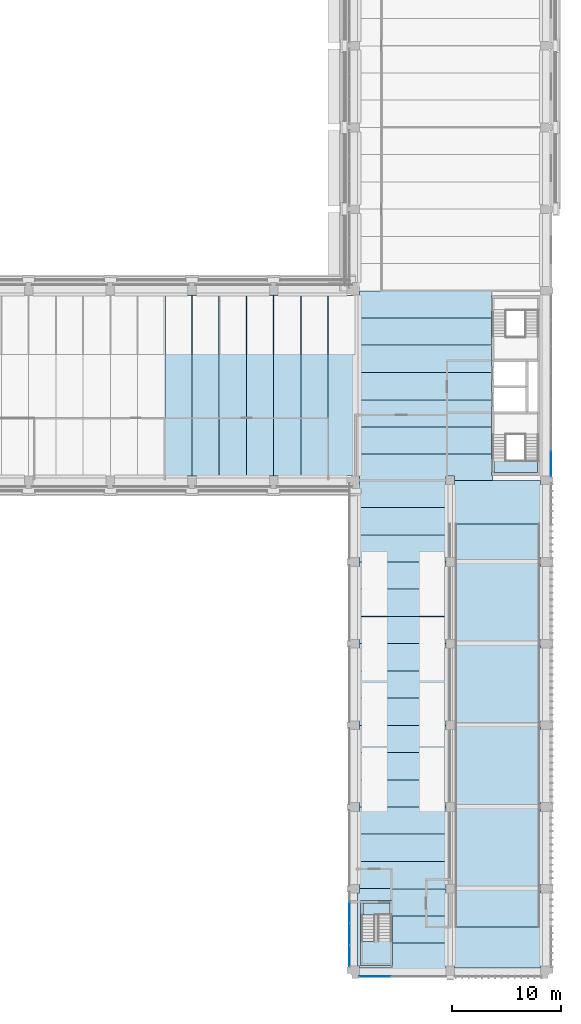
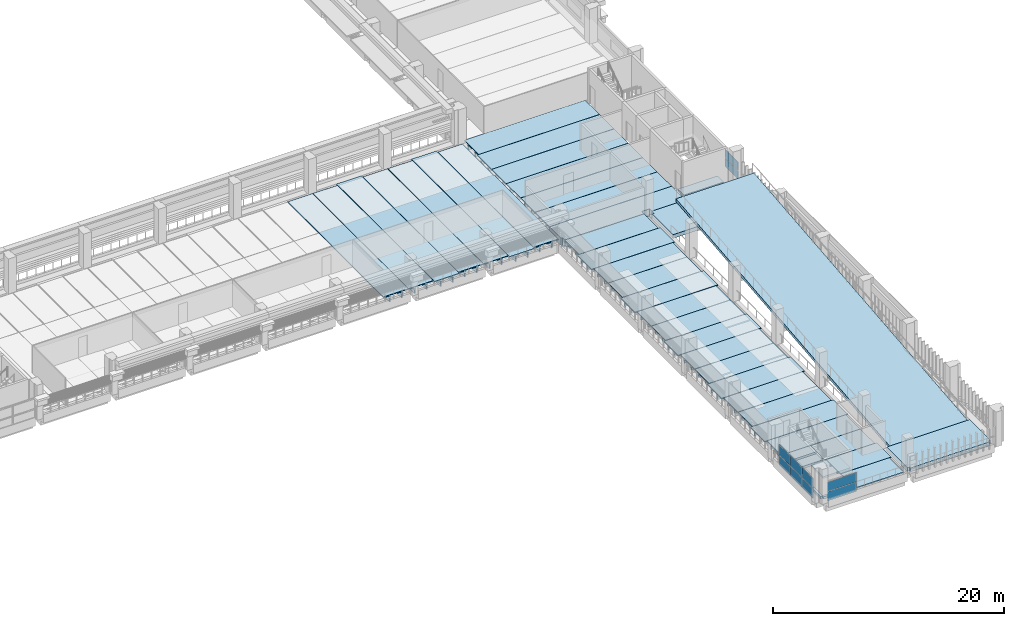
# One storey, part 27 of 71: 39 slabs, 10 plates, 4 elements without a shape of their own.
"""IFC4 building model written with IfcOpenShell, lengths in metres."""

from ifc_helpers import new_model, si_unit, direction, frame, origin, origin_2d, place, context, subcontext, project, spatial, polyline, rectangle, outline, extrude, material, layer, layer_set, material_profile, profile_set, type_object, element, aggregate, save


model = new_model("IFC4")

# Units and contexts
model_context = context("Model", 3, precision=1e-05, world=origin(), true_north=direction((0.0, 1.0)))
body_context = subcontext(model_context, "Body", "Model", "MODEL_VIEW")
ifc_project = project(units=[si_unit("LENGTHUNIT", "METRE"), si_unit("AREAUNIT", "SQUARE_METRE"), si_unit("VOLUMEUNIT", "CUBIC_METRE"), si_unit("PLANEANGLEUNIT", "RADIAN"), si_unit("MASSUNIT", "GRAM", prefix="KILO")], contexts=[model_context])

# Site, building, storey
site_placement = place(None, origin())
site = spatial("IfcSite", under=ifc_project, at=site_placement, CompositionType="ELEMENT")
building_placement = place(site_placement, origin())
building = spatial("IfcBuilding", under=site, at=building_placement, Name="Cour d'Honneur Mobility Palace", CompositionType="ELEMENT")
storey_placement = place(building_placement, frame((0.0, 0.0, 15.60009765625)))
storey = spatial("IfcBuildingStorey", under=building, at=storey_placement, Name="L04", CompositionType="ELEMENT", Elevation=15.60009765625)

# Slabs
ifc_material_1 = material(Name="Concrete C50", Category="concrete")
ifc_layer_1 = layer(ifc_material_1, 0.25)
ifc_layer_set_1 = layer_set([ifc_layer_1], Name="Concrete C50")
slab_type_1 = type_object("IfcSlabType", Name="Cast-in-place Slab 250", PredefinedType="FLOOR", material=ifc_layer_set_1)
slab_1_placement = place(storey_placement, frame((0.0, 0.0, -0.25)))
element("IfcSlab", 1, at=slab_1_placement, inside=storey, type_object=slab_type_1, Name="Cast-in-place slab S1 L04 core", PredefinedType="FLOOR", context=body_context, shape_type="SweptSolid", body=[
    extrude(outline(polyline([(157.625, 46.77490234375), (161.60009765625, 46.77490234375), (161.60009765625, 45.699951171875), (157.625, 45.699951171875), (157.625, 46.77490234375)])), origin(), (0.0, 0.0, 1.0), 0.25),
])
slab_2_placement = place(storey_placement, frame((0.0, 0.0, -0.25)))
element("IfcSlab", 2, at=slab_2_placement, inside=storey, type_object=slab_type_1, Name="Cast-in-place slab S1 L04 stair strip", PredefinedType="FLOOR", context=body_context, shape_type="SweptSolid", body=[
    extrude(outline(polyline([(145.300048828125, 0.39990234375), (145.10009765625, 0.39990234375), (145.10009765625, 7.10009765625), (145.300048828125, 7.10009765625), (145.300048828125, 7.5), (148.199951171875, 7.5), (148.199951171875, 6.425048828125), (145.35009765625, 6.425048828125), (145.35009765625, 0.449951171875), (148.199951171875, 0.449951171875), (148.199951171875, 0.22509765625), (145.300048828125, 0.22509765625), (145.300048828125, 0.39990234375)])), origin(), (0.0, 0.0, 1.0), 0.25),
])
slab_3_placement = place(storey_placement, frame((0.0, 0.0, -0.25)))
element("IfcSlab", 3, at=slab_3_placement, inside=storey, type_object=slab_type_1, Name="Cast-in-place slab S1 L04 stair strip", PredefinedType="FLOOR", context=body_context, shape_type="SweptSolid", body=[
    extrude(outline(polyline([(145.60009765625, 5.10009765625), (145.60009765625, 6.175048828125), (148.074951171875, 6.175048828125), (148.074951171875, 5.10009765625), (145.60009765625, 5.10009765625)])), origin(), (0.0, 0.0, 1.0), 0.25),
])
ifc_material_2 = material(Name="Concrete C50", Category="concrete")
ifc_layer_2 = layer(ifc_material_2, 0.39990234375)
ifc_layer_set_2 = layer_set([ifc_layer_2], Name="Concrete C50")
slab_type_2 = type_object("IfcSlabType", Name="Cast-in-place Slab 400", PredefinedType="LANDING", material=ifc_layer_set_2)
slab_4_placement = place(storey_placement, frame((0.0, 0.0, -0.400146484375)))
element("IfcSlab", 4, at=slab_4_placement, inside=storey, type_object=slab_type_2, Name="Cast-in-place slab S3 L04 landing", PredefinedType="LANDING", context=body_context, shape_type="SweptSolid", body=[
    extrude(outline(polyline([(161.89990234375, 0.39990234375), (161.89990234375, 0.22509765625), (154.0, 0.22509765625), (154.0, 0.39990234375), (153.800048828125, 0.39990234375), (153.800048828125, 4.0), (162.10009765625, 4.0), (162.10009765625, 0.39990234375), (161.89990234375, 0.39990234375)])), origin(), (0.0, 0.0, 1.0), 0.400146484375),
])
slab_5_placement = place(storey_placement, frame((0.0, 0.0, -0.400146484375)))
element("IfcSlab", 5, at=slab_5_placement, inside=storey, type_object=slab_type_2, Name="Cast-in-place slab S3 L04 landing", PredefinedType="LANDING", context=body_context, shape_type="SweptSolid", body=[
    extrude(outline(polyline([(162.10009765625, 44.60009765625), (162.10009765625, 41.0), (153.800048828125, 41.0), (153.800048828125, 44.60009765625), (154.0, 44.60009765625), (154.0, 45.0), (161.89990234375, 45.0), (161.89990234375, 44.60009765625), (162.10009765625, 44.60009765625)])), origin(), (0.0, 0.0, 1.0), 0.400146484375),
])
ifc_material_3 = material(Name="Concrete C50", Category="concrete")
ifc_layer_3 = layer(ifc_material_3, 0.800048828125)
ifc_layer_set_3 = layer_set([ifc_layer_3], Name="Concrete C50")
slab_type_3 = type_object("IfcSlabType", Name="Cast-in-place Slab 800", PredefinedType="FLOOR", material=ifc_layer_set_3)
slab_6_placement = place(storey_placement, frame((0.0, 0.0, -0.800048828125)))
element("IfcSlab", 6, at=slab_6_placement, inside=storey, type_object=slab_type_3, Name="Cast-in-place slab S2 L04 closure", PredefinedType="FLOOR", context=body_context, shape_type="SweptSolid", body=[
    extrude(outline(polyline([(154.0, 45.39990234375), (153.199951171875, 45.39990234375), (153.199951171875, 45.0), (145.300048828125, 45.0), (145.300048828125, 45.39990234375), (145.14990234375, 45.39990234375), (145.14990234375, 47.39990234375), (157.375, 47.39990234375), (157.375, 45.449951171875), (157.5, 45.449951171875), (157.5, 45.0), (154.0, 45.0), (154.0, 45.39990234375)])), origin(), (0.0, 0.0, 1.0), 0.800048828125),
])

# Curtain wall, plates
ifc_material_4 = material(Name="Aluminium and glass", Category="aluminium")
ifc_layer_4 = layer(ifc_material_4, 0.10009765625)
ifc_layer_set_4 = layer_set([ifc_layer_4], Name="Aluminium and glass")
curtain_wall_type = type_object("IfcCurtainWallType", Name="Curtain wall run", PredefinedType="NOTDEFINED", material=ifc_layer_set_4)
curtain_wall_1_placement = place(storey_placement, origin())
curtain_wall_1 = element("IfcCurtainWall", 7, at=curtain_wall_1_placement, inside=storey, type_object=curtain_wall_type, Name="Curtain wall CW-90", PredefinedType="NOTDEFINED")
ifc_material_5 = material(Name="Double glazing", Category="glass")
ifc_layer_5 = layer(ifc_material_5, 0.028076171875)
ifc_layer_set_5 = layer_set([ifc_layer_5], Name="Double glazing")
plate_type = type_object("IfcPlateType", Name="Curtain wall panel", PredefinedType="CURTAIN_PANEL", material=ifc_layer_set_5)
plate_1_placement = place(storey_placement, frame((162.85009765625, 46.514892578125, 0.06005859375), z_axis=(0.0, 0.0, 1.0), x_axis=(0.0, 1.0, 0.0)))
plate_1 = element("IfcPlate", 8, at=plate_1_placement, type_object=plate_type, Name="CW-90 panel 1.1", PredefinedType="CURTAIN_PANEL", context=body_context, shape_type="SweptSolid", body=[
    extrude(rectangle(XDim=2.31005859375, YDim=0.028076171875, at=origin_2d()), origin(), (0.0, 0.0, 1.0), 0.860107421875),
])
plate_2_placement = place(storey_placement, frame((162.85009765625, 46.514892578125, 0.97998046875), z_axis=(0.0, 0.0, 1.0), x_axis=(0.0, 1.0, 0.0)))
plate_2 = element("IfcPlate", 9, at=plate_2_placement, type_object=plate_type, Name="CW-90 panel 1.2", PredefinedType="CURTAIN_PANEL", context=body_context, shape_type="SweptSolid", body=[
    extrude(rectangle(XDim=2.31005859375, YDim=0.028076171875, at=origin_2d()), origin(), (0.0, 0.0, 1.0), 0.860107421875),
])
aggregate(curtain_wall_1, [plate_1, plate_2])

curtain_wall_2_placement = place(storey_placement, origin())
curtain_wall_2 = element("IfcCurtainWall", 10, at=curtain_wall_2_placement, inside=storey, type_object=curtain_wall_type, Name="Curtain wall CW-141", PredefinedType="NOTDEFINED")
plate_3_placement = place(storey_placement, frame((144.35009765625, 5.284912109375, 0.059814453125), z_axis=(0.0, 0.0, 1.0), x_axis=(0.0, -1.0, 0.0)))
plate_3 = element("IfcPlate", 11, at=plate_3_placement, type_object=plate_type, Name="CW-141 panel 1.1", PredefinedType="CURTAIN_PANEL", context=body_context, shape_type="SweptSolid", body=[
    extrude(rectangle(XDim=1.909912109375, YDim=0.028076171875, at=origin_2d()), origin(), (0.0, 0.0, 1.0), 1.06005859375),
])
plate_4_placement = place(storey_placement, frame((144.35009765625, 5.284912109375, 1.179931640625), z_axis=(0.0, 0.0, 1.0), x_axis=(0.0, -1.0, 0.0)))
plate_4 = element("IfcPlate", 12, at=plate_4_placement, type_object=plate_type, Name="CW-141 panel 1.2", PredefinedType="CURTAIN_PANEL", context=body_context, shape_type="SweptSolid", body=[
    extrude(rectangle(XDim=1.909912109375, YDim=0.028076171875, at=origin_2d()), origin(), (0.0, 0.0, 1.0), 1.06005859375),
])
plate_5_placement = place(storey_placement, frame((144.35009765625, 3.300048828125, 0.059814453125), z_axis=(0.0, 0.0, 1.0), x_axis=(0.0, -1.0, 0.0)))
plate_5 = element("IfcPlate", 13, at=plate_5_placement, type_object=plate_type, Name="CW-141 panel 2.1", PredefinedType="CURTAIN_PANEL", context=body_context, shape_type="SweptSolid", body=[
    extrude(rectangle(XDim=1.93994140625, YDim=0.028076171875, at=origin_2d()), origin(), (0.0, 0.0, 1.0), 1.06005859375),
])
plate_6_placement = place(storey_placement, frame((144.35009765625, 3.300048828125, 1.179931640625), z_axis=(0.0, 0.0, 1.0), x_axis=(0.0, -1.0, 0.0)))
plate_6 = element("IfcPlate", 14, at=plate_6_placement, type_object=plate_type, Name="CW-141 panel 2.2", PredefinedType="CURTAIN_PANEL", context=body_context, shape_type="SweptSolid", body=[
    extrude(rectangle(XDim=1.93994140625, YDim=0.028076171875, at=origin_2d()), origin(), (0.0, 0.0, 1.0), 1.06005859375),
])
plate_7_placement = place(storey_placement, frame((144.35009765625, 1.31494140625, 0.059814453125), z_axis=(0.0, 0.0, 1.0), x_axis=(0.0, -1.0, 0.0)))
plate_7 = element("IfcPlate", 15, at=plate_7_placement, type_object=plate_type, Name="CW-141 panel 3.1", PredefinedType="CURTAIN_PANEL", context=body_context, shape_type="SweptSolid", body=[
    extrude(rectangle(XDim=1.909912109375, YDim=0.028076171875, at=origin_2d()), origin(), (0.0, 0.0, 1.0), 1.06005859375),
])
plate_8_placement = place(storey_placement, frame((144.35009765625, 1.31494140625, 1.179931640625), z_axis=(0.0, 0.0, 1.0), x_axis=(0.0, -1.0, 0.0)))
plate_8 = element("IfcPlate", 16, at=plate_8_placement, type_object=plate_type, Name="CW-141 panel 3.2", PredefinedType="CURTAIN_PANEL", context=body_context, shape_type="SweptSolid", body=[
    extrude(rectangle(XDim=1.909912109375, YDim=0.028076171875, at=origin_2d()), origin(), (0.0, 0.0, 1.0), 1.06005859375),
])
aggregate(curtain_wall_2, [plate_3, plate_4, plate_5, plate_6, plate_7, plate_8])

curtain_wall_3_placement = place(storey_placement, origin())
curtain_wall_3 = element("IfcCurtainWall", 17, at=curtain_wall_3_placement, inside=storey, type_object=curtain_wall_type, Name="Curtain wall CW-142", PredefinedType="NOTDEFINED")
plate_9_placement = place(storey_placement, frame((146.699951171875, -0.550048828125, 0.059814453125), z_axis=(0.0, 0.0, 1.0), x_axis=(1.0, 0.0, 0.0)))
plate_9 = element("IfcPlate", 18, at=plate_9_placement, type_object=plate_type, Name="CW-142 panel 1.1", PredefinedType="CURTAIN_PANEL", context=body_context, shape_type="SweptSolid", body=[
    extrude(rectangle(XDim=2.8798828125, YDim=0.028076171875, at=origin_2d()), origin(), (0.0, 0.0, 1.0), 0.9599609375),
])
plate_10_placement = place(storey_placement, frame((146.699951171875, -0.550048828125, 1.079833984375), z_axis=(0.0, 0.0, 1.0), x_axis=(1.0, 0.0, 0.0)))
plate_10 = element("IfcPlate", 19, at=plate_10_placement, type_object=plate_type, Name="CW-142 panel 1.2", PredefinedType="CURTAIN_PANEL", context=body_context, shape_type="SweptSolid", body=[
    extrude(rectangle(XDim=2.8798828125, YDim=0.028076171875, at=origin_2d()), origin(), (0.0, 0.0, 1.0), 0.9599609375),
])
aggregate(curtain_wall_3, [plate_9, plate_10])

# Slabs
ifc_material_6 = material(Name="Concrete C45", Category="concrete")
ifc_material_profile_1 = material_profile(ifc_material_6, outline(polyline([(-1.2451171875, 0.0), (1.2451171875, 0.0), (1.2451171875, -0.074951171875), (0.659912109375, -0.074951171875), (0.639892578125, -0.39990234375), (0.56005859375, -0.39990234375), (0.5400390625, -0.074951171875), (-0.5400390625, -0.074951171875), (-0.56005859375, -0.39990234375), (-0.639892578125, -0.39990234375), (-0.659912109375, -0.074951171875), (-1.2451171875, -0.074951171875), (-1.2451171875, 0.0)])), Name="DT 2490x400")
ifc_profile_set_1 = profile_set([ifc_material_profile_1], Name="Concrete C45")
slab_type_4 = type_object("IfcSlabType", Name="DT 2490x400", PredefinedType="FLOOR", material=ifc_profile_set_1)
slab_7_placement = place(storey_placement, frame((148.324951171875, 1.25, 0.0), z_axis=(1.0, 0.0, 0.0), x_axis=(0.0, 1.0, 0.0)))
element("IfcSlab", 20, at=slab_7_placement, inside=storey, type_object=slab_type_4, Name="Double tee DT-SE1 L04", PredefinedType="FLOOR", context=body_context, shape_type="SweptSolid", body=[
    extrude(outline(polyline([(-1.2451171875, 0.0), (1.2451171875, 0.0), (1.2451171875, -0.074951171875), (0.659912109375, -0.074951171875), (0.639892578125, -0.39990234375), (0.56005859375, -0.39990234375), (0.5400390625, -0.074951171875), (-0.5400390625, -0.074951171875), (-0.56005859375, -0.39990234375), (-0.639892578125, -0.39990234375), (-0.659912109375, -0.074951171875), (-1.2451171875, -0.074951171875), (-1.2451171875, 0.0)])), origin(), (0.0, 0.0, 1.0), 4.875),
])
slab_8_placement = place(storey_placement, frame((148.324951171875, 3.75, 0.0), z_axis=(1.0, 0.0, 0.0), x_axis=(0.0, 1.0, 0.0)))
element("IfcSlab", 21, at=slab_8_placement, inside=storey, type_object=slab_type_4, Name="Double tee DT-SE2 L04", PredefinedType="FLOOR", context=body_context, shape_type="SweptSolid", body=[
    extrude(outline(polyline([(-1.2451171875, 0.0), (1.2451171875, 0.0), (1.2451171875, -0.074951171875), (0.659912109375, -0.074951171875), (0.639892578125, -0.39990234375), (0.56005859375, -0.39990234375), (0.5400390625, -0.074951171875), (-0.5400390625, -0.074951171875), (-0.56005859375, -0.39990234375), (-0.639892578125, -0.39990234375), (-0.659912109375, -0.074951171875), (-1.2451171875, -0.074951171875), (-1.2451171875, 0.0)])), origin(), (0.0, 0.0, 1.0), 5.074951171875),
])
slab_9_placement = place(storey_placement, frame((148.199951171875, 6.25, 0.0), z_axis=(1.0, 0.0, 0.0), x_axis=(0.0, 1.0, 0.0)))
element("IfcSlab", 22, at=slab_9_placement, inside=storey, type_object=slab_type_4, Name="Double tee DT-SE3 L04", PredefinedType="FLOOR", context=body_context, shape_type="SweptSolid", body=[
    extrude(outline(polyline([(-1.2451171875, 0.0), (1.2451171875, 0.0), (1.2451171875, -0.074951171875), (0.659912109375, -0.074951171875), (0.639892578125, -0.39990234375), (0.56005859375, -0.39990234375), (0.5400390625, -0.074951171875), (-0.5400390625, -0.074951171875), (-0.56005859375, -0.39990234375), (-0.639892578125, -0.39990234375), (-0.659912109375, -0.074951171875), (-1.2451171875, -0.074951171875), (-1.2451171875, 0.0)])), origin(), (0.0, 0.0, 1.0), 5.0),
])
ifc_material_7 = material(Name="Concrete C45", Category="concrete")
ifc_material_profile_2 = material_profile(ifc_material_7, outline(polyline([(-1.2451171875, 0.0), (1.2451171875, 0.0), (1.2451171875, -0.10009765625), (0.669921875, -0.10009765625), (0.64501953125, -0.5), (0.554931640625, -0.5), (0.530029296875, -0.10009765625), (-0.530029296875, -0.10009765625), (-0.554931640625, -0.5), (-0.64501953125, -0.5), (-0.669921875, -0.10009765625), (-1.2451171875, -0.10009765625), (-1.2451171875, 0.0)])), Name="DT 2490x500")
ifc_profile_set_2 = profile_set([ifc_material_profile_2], Name="Concrete C45")
slab_type_5 = type_object("IfcSlabType", Name="DT 2490x500", PredefinedType="FLOOR", material=ifc_profile_set_2)
slab_10_placement = place(storey_placement, frame((145.300048828125, 8.75, 0.0), z_axis=(1.0, 0.0, 0.0), x_axis=(0.0, 1.0, 0.0)))
element("IfcSlab", 23, at=slab_10_placement, inside=storey, type_object=slab_type_5, Name="Double tee DT-SE4 L04", PredefinedType="FLOOR", context=body_context, shape_type="SweptSolid", body=[
    extrude(outline(polyline([(-1.2451171875, 0.0), (1.2451171875, 0.0), (1.2451171875, -0.10009765625), (0.669921875, -0.10009765625), (0.64501953125, -0.5), (0.554931640625, -0.5), (0.530029296875, -0.10009765625), (-0.530029296875, -0.10009765625), (-0.554931640625, -0.5), (-0.64501953125, -0.5), (-0.669921875, -0.10009765625), (-1.2451171875, -0.10009765625), (-1.2451171875, 0.0)])), origin(), (0.0, 0.0, 1.0), 7.89990234375),
])
slab_11_placement = place(storey_placement, frame((145.10009765625, 11.25, 0.0), z_axis=(1.0, 0.0, 0.0), x_axis=(0.0, 1.0, 0.0)))
element("IfcSlab", 24, at=slab_11_placement, inside=storey, type_object=slab_type_5, Name="Double tee DT-SE5 L04", PredefinedType="FLOOR", context=body_context, shape_type="SweptSolid", body=[
    extrude(outline(polyline([(-1.2451171875, 0.0), (1.2451171875, 0.0), (1.2451171875, -0.10009765625), (0.669921875, -0.10009765625), (0.64501953125, -0.5), (0.554931640625, -0.5), (0.530029296875, -0.10009765625), (-0.530029296875, -0.10009765625), (-0.554931640625, -0.5), (-0.64501953125, -0.5), (-0.669921875, -0.10009765625), (-1.2451171875, -0.10009765625), (-1.2451171875, 0.0)])), origin(), (0.0, 0.0, 1.0), 8.2998046875),
])
for number, where, z_axis, x_axis, name in (
    (25, (145.300048828125, 13.75, 0.0), (1.0, 0.0, 0.0), (0.0, 1.0, 0.0), "Double tee DT-SE6 L04"),
    (26, (145.300048828125, 16.25, 0.0), (1.0, 0.0, 0.0), (0.0, 1.0, 0.0), "Double tee DT-SE7 L04"),
):
    element("IfcSlab", number, at=place(storey_placement, frame(where, z_axis=z_axis, x_axis=x_axis)), inside=storey, type_object=slab_type_5, Name=name, PredefinedType="FLOOR", context=body_context, shape_type="SweptSolid", body=[
        extrude(outline(polyline([(-1.2451171875, 0.0), (1.2451171875, 0.0), (1.2451171875, -0.10009765625), (0.669921875, -0.10009765625), (0.64501953125, -0.5), (0.554931640625, -0.5), (0.530029296875, -0.10009765625), (-0.530029296875, -0.10009765625), (-0.554931640625, -0.5), (-0.64501953125, -0.5), (-0.669921875, -0.10009765625), (-1.2451171875, -0.10009765625), (-1.2451171875, 0.0)])), origin(), (0.0, 0.0, 1.0), 7.89990234375),
    ])
slab_12_placement = place(storey_placement, frame((145.10009765625, 18.75, 0.0), z_axis=(1.0, 0.0, 0.0), x_axis=(0.0, 1.0, 0.0)))
element("IfcSlab", 27, at=slab_12_placement, inside=storey, type_object=slab_type_5, Name="Double tee DT-SE8 L04", PredefinedType="FLOOR", context=body_context, shape_type="SweptSolid", body=[
    extrude(outline(polyline([(-1.2451171875, 0.0), (1.2451171875, 0.0), (1.2451171875, -0.10009765625), (0.669921875, -0.10009765625), (0.64501953125, -0.5), (0.554931640625, -0.5), (0.530029296875, -0.10009765625), (-0.530029296875, -0.10009765625), (-0.554931640625, -0.5), (-0.64501953125, -0.5), (-0.669921875, -0.10009765625), (-1.2451171875, -0.10009765625), (-1.2451171875, 0.0)])), origin(), (0.0, 0.0, 1.0), 8.2998046875),
])
for number, where, z_axis, x_axis, name in (
    (28, (145.300048828125, 21.25, 0.0), (1.0, 0.0, 0.0), (0.0, 1.0, 0.0), "Double tee DT-SE9 L04"),
    (29, (145.300048828125, 23.75, 0.0), (1.0, 0.0, 0.0), (0.0, 1.0, 0.0), "Double tee DT-SE10 L04"),
):
    element("IfcSlab", number, at=place(storey_placement, frame(where, z_axis=z_axis, x_axis=x_axis)), inside=storey, type_object=slab_type_5, Name=name, PredefinedType="FLOOR", context=body_context, shape_type="SweptSolid", body=[
        extrude(outline(polyline([(-1.2451171875, 0.0), (1.2451171875, 0.0), (1.2451171875, -0.10009765625), (0.669921875, -0.10009765625), (0.64501953125, -0.5), (0.554931640625, -0.5), (0.530029296875, -0.10009765625), (-0.530029296875, -0.10009765625), (-0.554931640625, -0.5), (-0.64501953125, -0.5), (-0.669921875, -0.10009765625), (-1.2451171875, -0.10009765625), (-1.2451171875, 0.0)])), origin(), (0.0, 0.0, 1.0), 7.89990234375),
    ])
slab_13_placement = place(storey_placement, frame((145.10009765625, 26.25, 0.0), z_axis=(1.0, 0.0, 0.0), x_axis=(0.0, 1.0, 0.0)))
element("IfcSlab", 30, at=slab_13_placement, inside=storey, type_object=slab_type_5, Name="Double tee DT-SE11 L04", PredefinedType="FLOOR", context=body_context, shape_type="SweptSolid", body=[
    extrude(outline(polyline([(-1.2451171875, 0.0), (1.2451171875, 0.0), (1.2451171875, -0.10009765625), (0.669921875, -0.10009765625), (0.64501953125, -0.5), (0.554931640625, -0.5), (0.530029296875, -0.10009765625), (-0.530029296875, -0.10009765625), (-0.554931640625, -0.5), (-0.64501953125, -0.5), (-0.669921875, -0.10009765625), (-1.2451171875, -0.10009765625), (-1.2451171875, 0.0)])), origin(), (0.0, 0.0, 1.0), 8.2998046875),
])
for number, where, z_axis, x_axis, name in (
    (31, (145.300048828125, 28.75, 0.0), (1.0, 0.0, 0.0), (0.0, 1.0, 0.0), "Double tee DT-SE12 L04"),
    (32, (145.300048828125, 31.25, 0.0), (1.0, 0.0, 0.0), (0.0, 1.0, 0.0), "Double tee DT-SE13 L04"),
):
    element("IfcSlab", number, at=place(storey_placement, frame(where, z_axis=z_axis, x_axis=x_axis)), inside=storey, type_object=slab_type_5, Name=name, PredefinedType="FLOOR", context=body_context, shape_type="SweptSolid", body=[
        extrude(outline(polyline([(-1.2451171875, 0.0), (1.2451171875, 0.0), (1.2451171875, -0.10009765625), (0.669921875, -0.10009765625), (0.64501953125, -0.5), (0.554931640625, -0.5), (0.530029296875, -0.10009765625), (-0.530029296875, -0.10009765625), (-0.554931640625, -0.5), (-0.64501953125, -0.5), (-0.669921875, -0.10009765625), (-1.2451171875, -0.10009765625), (-1.2451171875, 0.0)])), origin(), (0.0, 0.0, 1.0), 7.89990234375),
    ])
slab_14_placement = place(storey_placement, frame((145.10009765625, 33.75, 0.0), z_axis=(1.0, 0.0, 0.0), x_axis=(0.0, 1.0, 0.0)))
element("IfcSlab", 33, at=slab_14_placement, inside=storey, type_object=slab_type_5, Name="Double tee DT-SE14 L04", PredefinedType="FLOOR", context=body_context, shape_type="SweptSolid", body=[
    extrude(outline(polyline([(-1.2451171875, 0.0), (1.2451171875, 0.0), (1.2451171875, -0.10009765625), (0.669921875, -0.10009765625), (0.64501953125, -0.5), (0.554931640625, -0.5), (0.530029296875, -0.10009765625), (-0.530029296875, -0.10009765625), (-0.554931640625, -0.5), (-0.64501953125, -0.5), (-0.669921875, -0.10009765625), (-1.2451171875, -0.10009765625), (-1.2451171875, 0.0)])), origin(), (0.0, 0.0, 1.0), 8.2998046875),
])
for number, where, z_axis, x_axis, name in (
    (34, (145.300048828125, 36.25, 0.0), (1.0, 0.0, 0.0), (0.0, 1.0, 0.0), "Double tee DT-SE15 L04"),
    (35, (145.300048828125, 38.75, 0.0), (1.0, 0.0, 0.0), (0.0, 1.0, 0.0), "Double tee DT-SE16 L04"),
):
    element("IfcSlab", number, at=place(storey_placement, frame(where, z_axis=z_axis, x_axis=x_axis)), inside=storey, type_object=slab_type_5, Name=name, PredefinedType="FLOOR", context=body_context, shape_type="SweptSolid", body=[
        extrude(outline(polyline([(-1.2451171875, 0.0), (1.2451171875, 0.0), (1.2451171875, -0.10009765625), (0.669921875, -0.10009765625), (0.64501953125, -0.5), (0.554931640625, -0.5), (0.530029296875, -0.10009765625), (-0.530029296875, -0.10009765625), (-0.554931640625, -0.5), (-0.64501953125, -0.5), (-0.669921875, -0.10009765625), (-1.2451171875, -0.10009765625), (-1.2451171875, 0.0)])), origin(), (0.0, 0.0, 1.0), 7.89990234375),
    ])
slab_15_placement = place(storey_placement, frame((145.10009765625, 41.25, 0.0), z_axis=(1.0, 0.0, 0.0), x_axis=(0.0, 1.0, 0.0)))
element("IfcSlab", 36, at=slab_15_placement, inside=storey, type_object=slab_type_5, Name="Double tee DT-SE17 L04", PredefinedType="FLOOR", context=body_context, shape_type="SweptSolid", body=[
    extrude(outline(polyline([(-1.2451171875, 0.0), (1.2451171875, 0.0), (1.2451171875, -0.10009765625), (0.669921875, -0.10009765625), (0.64501953125, -0.5), (0.554931640625, -0.5), (0.530029296875, -0.10009765625), (-0.530029296875, -0.10009765625), (-0.554931640625, -0.5), (-0.64501953125, -0.5), (-0.669921875, -0.10009765625), (-1.2451171875, -0.10009765625), (-1.2451171875, 0.0)])), origin(), (0.0, 0.0, 1.0), 8.2998046875),
])
slab_16_placement = place(storey_placement, frame((145.300048828125, 43.75, 0.0), z_axis=(1.0, 0.0, 0.0), x_axis=(0.0, 1.0, 0.0)))
element("IfcSlab", 37, at=slab_16_placement, inside=storey, type_object=slab_type_5, Name="Double tee DT-SE18 L04", PredefinedType="FLOOR", context=body_context, shape_type="SweptSolid", body=[
    extrude(outline(polyline([(-1.2451171875, 0.0), (1.2451171875, 0.0), (1.2451171875, -0.10009765625), (0.669921875, -0.10009765625), (0.64501953125, -0.5), (0.554931640625, -0.5), (0.530029296875, -0.10009765625), (-0.530029296875, -0.10009765625), (-0.554931640625, -0.5), (-0.64501953125, -0.5), (-0.669921875, -0.10009765625), (-1.2451171875, -0.10009765625), (-1.2451171875, 0.0)])), origin(), (0.0, 0.0, 1.0), 7.89990234375),
])
ifc_material_8 = material(Name="Concrete C45", Category="concrete")
ifc_material_profile_3 = material_profile(ifc_material_8, outline(polyline([(-1.2451171875, 0.0), (1.2451171875, 0.0), (1.2451171875, -0.10009765625), (0.679931640625, -0.10009765625), (0.64990234375, -0.64990234375), (0.550048828125, -0.64990234375), (0.52001953125, -0.10009765625), (-0.52001953125, -0.10009765625), (-0.550048828125, -0.64990234375), (-0.64990234375, -0.64990234375), (-0.679931640625, -0.10009765625), (-1.2451171875, -0.10009765625), (-1.2451171875, 0.0)])), Name="DT 2490x650")
ifc_profile_set_3 = profile_set([ifc_material_profile_3], Name="Concrete C45")
slab_type_6 = type_object("IfcSlabType", Name="DT 2490x650", PredefinedType="FLOOR", material=ifc_profile_set_3)
for number, where, z_axis, x_axis, name in (
    (38, (145.14990234375, 48.64990234375, 0.0), (1.0, 0.0, 0.0), (0.0, 1.0, 0.0), "Double tee DT-JE1 L04"),
    (39, (145.14990234375, 51.14990234375, 0.0), (1.0, 0.0, 0.0), (0.0, 1.0, 0.0), "Double tee DT-JE2 L04"),
    (40, (145.14990234375, 53.64990234375, 0.0), (1.0, 0.0, 0.0), (0.0, 1.0, 0.0), "Double tee DT-JE3 L04"),
    (41, (145.14990234375, 56.14990234375, 0.0), (1.0, 0.0, 0.0), (0.0, 1.0, 0.0), "Double tee DT-JE4 L04"),
    (42, (145.14990234375, 58.64990234375, 0.0), (1.0, 0.0, 0.0), (0.0, 1.0, 0.0), "Double tee DT-JE5 L04"),
):
    element("IfcSlab", number, at=place(storey_placement, frame(where, z_axis=z_axis, x_axis=x_axis)), inside=storey, type_object=slab_type_6, Name=name, PredefinedType="FLOOR", context=body_context, shape_type="SweptSolid", body=[
        extrude(outline(polyline([(-1.2451171875, 0.0), (1.2451171875, 0.0), (1.2451171875, -0.10009765625), (0.679931640625, -0.10009765625), (0.64990234375, -0.64990234375), (0.550048828125, -0.64990234375), (0.52001953125, -0.10009765625), (-0.52001953125, -0.10009765625), (-0.550048828125, -0.64990234375), (-0.64990234375, -0.64990234375), (-0.679931640625, -0.10009765625), (-1.2451171875, -0.10009765625), (-1.2451171875, 0.0)])), origin(), (0.0, 0.0, 1.0), 12.22509765625),
    ])
slab_17_placement = place(storey_placement, frame((145.300048828125, 61.14990234375, 0.0), z_axis=(1.0, 0.0, 0.0), x_axis=(0.0, 1.0, 0.0)))
element("IfcSlab", 43, at=slab_17_placement, inside=storey, type_object=slab_type_6, Name="Double tee DT-JE6 L04", PredefinedType="FLOOR", context=body_context, shape_type="SweptSolid", body=[
    extrude(outline(polyline([(-1.2451171875, 0.0), (1.2451171875, 0.0), (1.2451171875, -0.10009765625), (0.679931640625, -0.10009765625), (0.64990234375, -0.64990234375), (0.550048828125, -0.64990234375), (0.52001953125, -0.10009765625), (-0.52001953125, -0.10009765625), (-0.550048828125, -0.64990234375), (-0.64990234375, -0.64990234375), (-0.679931640625, -0.10009765625), (-1.2451171875, -0.10009765625), (-1.2451171875, 0.0)])), origin(), (0.0, 0.0, 1.0), 12.074951171875),
])
ifc_material_9 = material(Name="Concrete C45", Category="concrete")
ifc_material_profile_4 = material_profile(ifc_material_9, outline(polyline([(-1.2451171875, 0.0), (1.2451171875, 0.0), (1.2451171875, -0.10009765625), (0.679931640625, -0.10009765625), (0.64990234375, -0.75), (0.550048828125, -0.75), (0.52001953125, -0.10009765625), (-0.52001953125, -0.10009765625), (-0.550048828125, -0.75), (-0.64990234375, -0.75), (-0.679931640625, -0.10009765625), (-1.2451171875, -0.10009765625), (-1.2451171875, 0.0)])), Name="DT 2490x750")
ifc_profile_set_4 = profile_set([ifc_material_profile_4], Name="Concrete C45")
slab_type_7 = type_object("IfcSlabType", Name="DT 2490x750", PredefinedType="FLOOR", material=ifc_profile_set_4)
for number, where, z_axis, x_axis, name in (
    (44, (128.64990234375, 45.39990234375, 0.0), (0.0, 1.0, 0.0), (-1.0, 0.0, 0.0), "Double tee DT-C45 L04"),
    (45, (131.14990234375, 45.39990234375, 0.0), (0.0, 1.0, 0.0), (-1.0, 0.0, 0.0), "Double tee DT-C46 L04"),
):
    element("IfcSlab", number, at=place(storey_placement, frame(where, z_axis=z_axis, x_axis=x_axis)), inside=storey, type_object=slab_type_7, Name=name, PredefinedType="FLOOR", context=body_context, shape_type="SweptSolid", body=[
        extrude(outline(polyline([(-1.2451171875, 0.0), (1.2451171875, 0.0), (1.2451171875, -0.10009765625), (0.679931640625, -0.10009765625), (0.64990234375, -0.75), (0.550048828125, -0.75), (0.52001953125, -0.10009765625), (-0.52001953125, -0.10009765625), (-0.550048828125, -0.75), (-0.64990234375, -0.75), (-0.679931640625, -0.10009765625), (-1.2451171875, -0.10009765625), (-1.2451171875, 0.0)])), origin(), (0.0, 0.0, 1.0), 16.60009765625),
    ])
slab_18_placement = place(storey_placement, frame((133.64990234375, 45.199951171875, 0.0), z_axis=(0.0, 1.0, 0.0), x_axis=(-1.0, 0.0, 0.0)))
element("IfcSlab", 46, at=slab_18_placement, inside=storey, type_object=slab_type_7, Name="Double tee DT-C47 L04", PredefinedType="FLOOR", context=body_context, shape_type="SweptSolid", body=[
    extrude(outline(polyline([(-1.2451171875, 0.0), (1.2451171875, 0.0), (1.2451171875, -0.10009765625), (0.679931640625, -0.10009765625), (0.64990234375, -0.75), (0.550048828125, -0.75), (0.52001953125, -0.10009765625), (-0.52001953125, -0.10009765625), (-0.550048828125, -0.75), (-0.64990234375, -0.75), (-0.679931640625, -0.10009765625), (-1.2451171875, -0.10009765625), (-1.2451171875, 0.0)])), origin(), (0.0, 0.0, 1.0), 17.0),
])
for number, where, z_axis, x_axis, name in (
    (47, (136.14990234375, 45.39990234375, 0.0), (0.0, 1.0, 0.0), (-1.0, 0.0, 0.0), "Double tee DT-C48 L04"),
    (48, (138.64990234375, 45.39990234375, 0.0), (0.0, 1.0, 0.0), (-1.0, 0.0, 0.0), "Double tee DT-C49 L04"),
):
    element("IfcSlab", number, at=place(storey_placement, frame(where, z_axis=z_axis, x_axis=x_axis)), inside=storey, type_object=slab_type_7, Name=name, PredefinedType="FLOOR", context=body_context, shape_type="SweptSolid", body=[
        extrude(outline(polyline([(-1.2451171875, 0.0), (1.2451171875, 0.0), (1.2451171875, -0.10009765625), (0.679931640625, -0.10009765625), (0.64990234375, -0.75), (0.550048828125, -0.75), (0.52001953125, -0.10009765625), (-0.52001953125, -0.10009765625), (-0.550048828125, -0.75), (-0.64990234375, -0.75), (-0.679931640625, -0.10009765625), (-1.2451171875, -0.10009765625), (-1.2451171875, 0.0)])), origin(), (0.0, 0.0, 1.0), 16.60009765625),
    ])
slab_19_placement = place(storey_placement, frame((141.14990234375, 45.199951171875, 0.0), z_axis=(0.0, 1.0, 0.0), x_axis=(-1.0, 0.0, 0.0)))
element("IfcSlab", 49, at=slab_19_placement, inside=storey, type_object=slab_type_7, Name="Double tee DT-C50 L04", PredefinedType="FLOOR", context=body_context, shape_type="SweptSolid", body=[
    extrude(outline(polyline([(-1.2451171875, 0.0), (1.2451171875, 0.0), (1.2451171875, -0.10009765625), (0.679931640625, -0.10009765625), (0.64990234375, -0.75), (0.550048828125, -0.75), (0.52001953125, -0.10009765625), (-0.52001953125, -0.10009765625), (-0.550048828125, -0.75), (-0.64990234375, -0.75), (-0.679931640625, -0.10009765625), (-1.2451171875, -0.10009765625), (-1.2451171875, 0.0)])), origin(), (0.0, 0.0, 1.0), 17.0),
])
slab_20_placement = place(storey_placement, frame((143.64990234375, 45.39990234375, 0.0), z_axis=(0.0, 1.0, 0.0), x_axis=(-1.0, 0.0, 0.0)))
element("IfcSlab", 50, at=slab_20_placement, inside=storey, type_object=slab_type_7, Name="Double tee DT-C51 L04", PredefinedType="FLOOR", context=body_context, shape_type="SweptSolid", body=[
    extrude(outline(polyline([(-1.2451171875, 0.0), (1.2451171875, 0.0), (1.2451171875, -0.10009765625), (0.679931640625, -0.10009765625), (0.64990234375, -0.75), (0.550048828125, -0.75), (0.52001953125, -0.10009765625), (-0.52001953125, -0.10009765625), (-0.550048828125, -0.75), (-0.64990234375, -0.75), (-0.679931640625, -0.10009765625), (-1.2451171875, -0.10009765625), (-1.2451171875, 0.0)])), origin(), (0.0, 0.0, 1.0), 16.60009765625),
])

# Stair, slab
ifc_material_10 = material(Name="Concrete C50", Category="concrete")
stair_type = type_object("IfcStairType", Name="Stair 20 risers", PredefinedType="HALF_TURN_STAIR", material=ifc_material_10)
stair_placement = place(storey_placement, origin())
stair = element("IfcStair", 51, at=stair_placement, inside=storey, type_object=stair_type, Name="Stair ST-RE1", PredefinedType="HALF_TURN_STAIR")
ifc_material_11 = material(Name="Concrete C50", Category="concrete")
ifc_layer_6 = layer(ifc_material_11, 0.199951171875)
ifc_layer_set_6 = layer_set([ifc_layer_6], Name="Concrete C50")
slab_type_8 = type_object("IfcSlabType", Name="Stair landing", PredefinedType="LANDING", material=ifc_layer_set_6)
slab_21_placement = place(storey_placement, frame((0.0, 0.0, 1.64990234375)))
slab_21 = element("IfcSlab", 52, at=slab_21_placement, type_object=slab_type_8, Name="ST-RE1 landing 1", PredefinedType="LANDING", context=body_context, shape_type="SweptSolid", body=[
    extrude(outline(polyline([(145.47509765625, 0.574951171875), (148.199951171875, 0.574951171875), (148.199951171875, 2.669921875), (145.47509765625, 2.669921875), (145.47509765625, 0.574951171875)])), origin(), (0.0, 0.0, 1.0), 0.199951171875),
])
aggregate(stair, [slab_21])

# Slab
ifc_material_12 = material(Name="Concrete C45", Category="concrete")
ifc_layer_7 = layer(ifc_material_12, 0.300048828125)
ifc_layer_set_7 = layer_set([ifc_layer_7], Name="Concrete C45")
slab_type_9 = type_object("IfcSlabType", Name="Vehicle ramp slab 300", PredefinedType="USERDEFINED", material=ifc_layer_set_7)
slab_22_placement = place(storey_placement, frame((154.10009765625, 4.0, 0.0), z_axis=(0.0, -0.099502418892, 0.995037320222), x_axis=(1.0, 0.0, 0.0)))
element("IfcSlab", 53, at=slab_22_placement, inside=storey, type_object=slab_type_9, Name="Vehicle ramp East 5 slab", ObjectType="VEHICLE RAMP SLAB", PredefinedType="USERDEFINED", context=body_context, shape_type="SweptSolid", body=[
    extrude(outline(polyline([(0.0, 0.0), (7.7998046875, 0.0), (7.7998046875, 37.184534939599004), (0.0, 37.184534939599004), (0.0, 0.0)])), origin(), (0.0, 0.0, -1.0), 0.300048828125),
])

save(model, "model.ifc")
